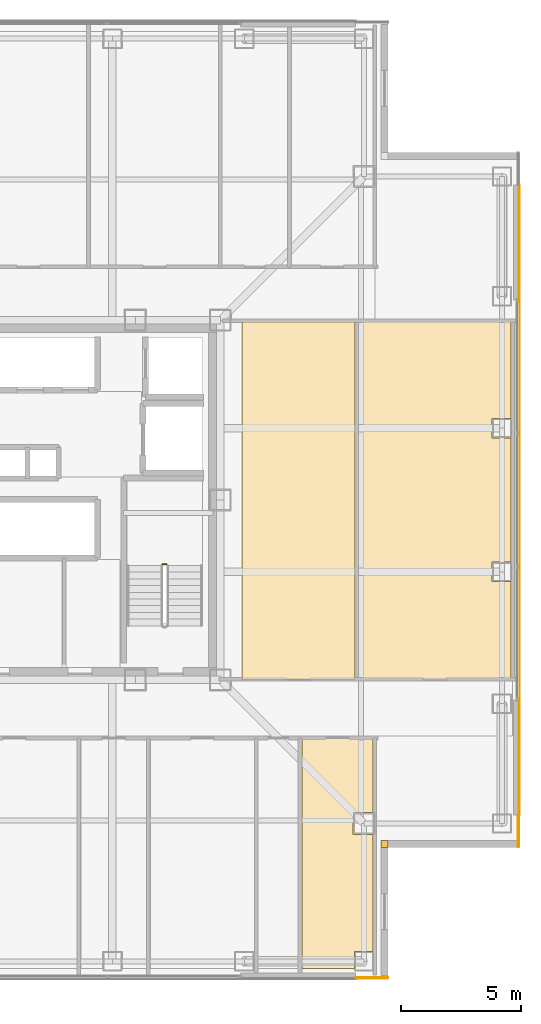
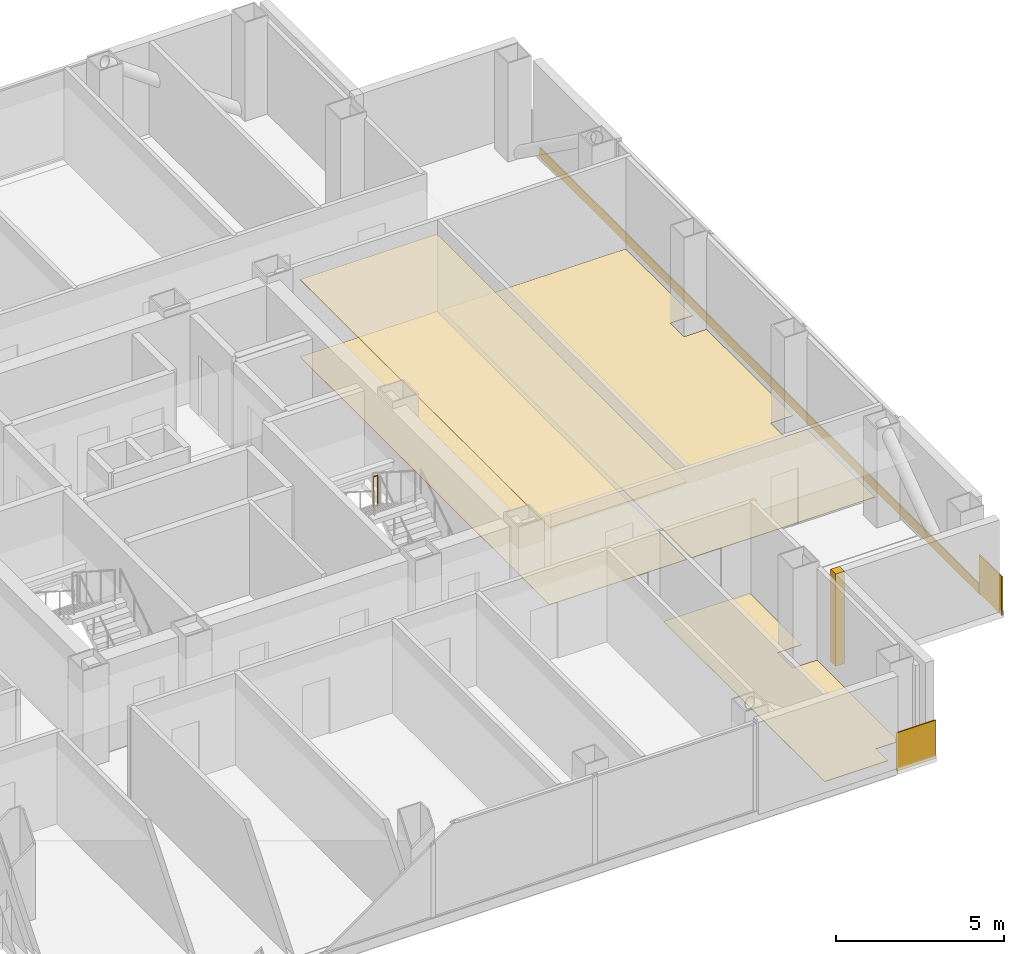
# One storey, part 16 of 17: 8 coverings, 1 railing.
"""IFC4 building model written with IfcOpenShell, lengths in metres."""

import ifcopenshell
import ifcopenshell.guid

model = None  # the IFC model being written
_history = None  # IfcOwnerHistory: only IFC2X3 demands one
_inside = {}  # id of a spatial element -> (the spatial element, [elements in it])
_under = {}  # id of a project, library or spatial element -> (it, [spatial elements below it])
_declared = {}  # id of a project -> (the project, [libraries it declares])
_typed = {}  # id of a type object -> (the type object, [elements of that type])
_made_of = {}  # id of a material, layer set ... -> (it, [elements and type objects made of it])


def new_model(schema):
    """Start an empty IFC model of exactly this schema.

    Asked for "IFC4X3", IfcOpenShell would pick the latest addendum, in which some entities
    have other attributes; the version numbers below select the first issue.
    IFC2X3 requires an IfcOwnerHistory on every rooted entity: one is made here for all.
    """
    global model, _history
    if schema == "IFC4X3":
        model = ifcopenshell.file(schema_version=(4, 3, 0, 0))
    else:
        model = ifcopenshell.file(schema=schema)
    _inside.clear()
    _under.clear()
    _declared.clear()
    _typed.clear()
    _made_of.clear()
    _history = None
    if model.schema == "IFC2X3":
        org = make("IfcOrganization", Name="unknown")
        user = make(
            "IfcPersonAndOrganization",
            ThePerson=make("IfcPerson", FamilyName="unknown"),
            TheOrganization=org,
        )
        app = make(
            "IfcApplication",
            ApplicationDeveloper=org,
            Version="unknown",
            ApplicationFullName="unknown",
            ApplicationIdentifier="unknown",
        )
        _history = make(
            "IfcOwnerHistory",
            OwningUser=user,
            OwningApplication=app,
            ChangeAction="ADDED",
            CreationDate=0,
        )
    return model


def make(cls, **values):
    """One entity of the class cls with the attributes given. An attribute that is None is left unset."""
    return model.create_entity(
        cls, **{name: value for name, value in values.items() if value is not None}
    )


def rooted(cls, **values):
    """An entity with a GlobalId (a new one), such as an element, a storey or a relation."""
    return make(cls, GlobalId=ifcopenshell.guid.new(), OwnerHistory=_history, **values)


def si_unit(unit_type, name, prefix=None):
    """IfcSIUnit, for example si_unit("LENGTHUNIT", "METRE", prefix="MILLI")."""
    return make("IfcSIUnit", UnitType=unit_type, Prefix=prefix, Name=name)


def assignment(units):
    """IfcUnitAssignment: the units of a project."""
    return None if units is None else make("IfcUnitAssignment", Units=units)


def point(xyz):
    """IfcCartesianPoint."""
    return None if xyz is None else make("IfcCartesianPoint", Coordinates=xyz)


def direction(xyz):
    """IfcDirection."""
    return None if xyz is None else make("IfcDirection", DirectionRatios=xyz)


def frame(location, z_axis=None, x_axis=None):
    """IfcAxis2Placement3D, a coordinate frame: its origin and axes. An axis left out is left unset."""
    return make(
        "IfcAxis2Placement3D",
        Location=point(location),
        Axis=direction(z_axis),
        RefDirection=direction(x_axis),
    )


def frame_2d(location, x_axis=None):
    """IfcAxis2Placement2D, a coordinate frame in the plane: its origin and x axis."""
    return make(
        "IfcAxis2Placement2D", Location=point(location), RefDirection=direction(x_axis)
    )


def origin():
    """The frame at (0, 0, 0) with its axes left unset."""
    return frame((0.0, 0.0, 0.0))


def origin_2d():
    """The frame at (0, 0) in the plane with its x axis left unset."""
    return frame_2d((0.0, 0.0))


def place(relative_to, where):
    """IfcLocalPlacement: puts the frame where relative to a parent placement (None: the world)."""
    return make(
        "IfcLocalPlacement", PlacementRelTo=relative_to, RelativePlacement=where
    )


def context(
    kind, dimensions, precision=None, world=None, true_north=None, identifier=None
):
    """IfcGeometricRepresentationContext, for example the 3D "Model" context."""
    return make(
        "IfcGeometricRepresentationContext",
        ContextIdentifier=identifier,
        ContextType=kind,
        CoordinateSpaceDimension=dimensions,
        Precision=precision,
        WorldCoordinateSystem=world,
        TrueNorth=true_north,
    )


def subcontext(parent, identifier, kind, view, scale=None):
    """IfcGeometricRepresentationSubContext, for example "Body" below "Model"."""
    return make(
        "IfcGeometricRepresentationSubContext",
        ContextIdentifier=identifier,
        ContextType=kind,
        ParentContext=parent,
        TargetScale=scale,
        TargetView=view,
    )


def project(units=None, contexts=None):
    """IfcProject with its units and contexts."""
    return rooted(
        "IfcProject",
        Name="project",
        RepresentationContexts=contexts,
        UnitsInContext=assignment(units),
    )


def spatial(cls, under=None, at=None, **own):
    """A site, building, storey or space (cls), placed at a placement, below another one or the project."""
    s = rooted(cls, ObjectPlacement=at, **own)
    if under is not None:
        _under.setdefault(under.id(), (under, []))[1].append(s)
    return s


def polyline(points):
    """IfcPolyline through the points."""
    return make("IfcPolyline", Points=[point(p) for p in points])


def profile(cls, at=None, kind="AREA", **sizes):
    """A parametric profile (cls). Its sizes go by their IFC names, for example OverallWidth=200.0."""
    return make(cls, ProfileType=kind, Position=at, **sizes)


def rectangle(**sizes):
    """IfcRectangleProfileDef."""
    return profile("IfcRectangleProfileDef", **sizes)


def circle(**sizes):
    """IfcCircleProfileDef."""
    return profile("IfcCircleProfileDef", **sizes)


def outline(outer, holes=None, kind="AREA"):
    """IfcArbitraryClosedProfileDef: a profile drawn as a closed curve; with holes, ...WithVoids."""
    if holes is None:
        return make("IfcArbitraryClosedProfileDef", ProfileType=kind, OuterCurve=outer)
    return make(
        "IfcArbitraryProfileDefWithVoids",
        ProfileType=kind,
        OuterCurve=outer,
        InnerCurves=holes,
    )


def extrude(swept, where, along, depth):
    """IfcExtrudedAreaSolid: the profile swept, set in the frame where, extruded along a direction by depth."""
    return make(
        "IfcExtrudedAreaSolid",
        SweptArea=swept,
        Position=where,
        ExtrudedDirection=direction(along),
        Depth=depth,
    )


def shape(context_of_items, identifier, shape_type, items):
    """IfcShapeRepresentation: the items that make up one representation, for example the "Body"."""
    return make(
        "IfcShapeRepresentation",
        ContextOfItems=context_of_items,
        RepresentationIdentifier=identifier,
        RepresentationType=shape_type,
        Items=items,
    )


def material(Name=None, Category=None):
    """IfcMaterial."""
    return make("IfcMaterial", Name=Name, Category=Category)


def layer(
    of_material, thickness, ventilated=None, Name=None, Category=None, Priority=None
):
    """IfcMaterialLayer: one layer of a wall or slab, of a material (None: an air gap)."""
    return make(
        "IfcMaterialLayer",
        Material=of_material,
        LayerThickness=thickness,
        IsVentilated=ventilated,
        Name=Name,
        Category=Category,
        Priority=Priority,
    )


def layer_set(layers, Name=None):
    """IfcMaterialLayerSet."""
    return make("IfcMaterialLayerSet", MaterialLayers=layers, LayerSetName=Name)


def made_of(thing, what):
    """Note that an element or type object is made of a material, layer set ...; save() writes the relation."""
    if what is not None:
        _made_of.setdefault(what.id(), (what, []))[1].append(thing)
    return thing


def type_object(cls, material=None, **own):
    """A type object (cls), such as IfcWallType, which elements share."""
    return made_of(rooted(cls, **own), material)


def element(
    cls,
    number,
    at=None,
    inside=None,
    cuts=None,
    type_object=None,
    material=None,
    context=None,
    identifier="Body",
    shape_type=None,
    held_by="IfcProductDefinitionShape",
    body=None,
    shapes=None,
    **own,
):
    """One element of the class cls, such as IfcWall. Its Tag is "e" and its number.

    at: its placement. inside: the storey or other place that contains it. cuts: it is an
    opening in that element (IfcRelVoidsElement). A single representation is given by context,
    identifier, shape_type and body (its items); several are given by shapes. held_by: the class
    of the entity that holds the representations. save() writes the other relations.
    """
    e = rooted(cls, Tag="e%d" % number, ObjectPlacement=at, **own)
    if body is not None:
        shapes = [shape(context, identifier, shape_type, body)]
    if shapes is not None:
        e.Representation = make(held_by, Representations=shapes)
    if inside is not None:
        _inside.setdefault(inside.id(), (inside, []))[1].append(e)
    if cuts is not None:
        rooted(
            "IfcRelVoidsElement", RelatingBuildingElement=cuts, RelatedOpeningElement=e
        )
    if type_object is not None:
        _typed.setdefault(type_object.id(), (type_object, []))[1].append(e)
    return made_of(e, material)


def aggregate(whole, parts):
    """IfcRelAggregates: a whole, such as a stair, and the parts it consists of."""
    return rooted("IfcRelAggregates", RelatingObject=whole, RelatedObjects=parts)


def save(model, path):
    """Write the relations noted so far, then the file.

    IfcRelAggregates (storeys below a building ...), IfcRelContainedInSpatialStructure (elements
    in a storey), IfcRelDefinesByType, IfcRelAssociatesMaterial and IfcRelDeclares: one each for
    every whole, place, type object, material and project.
    """
    for whole, parts in _under.values():
        aggregate(whole, parts)
    for where, things in _inside.values():
        rooted(
            "IfcRelContainedInSpatialStructure",
            RelatedElements=things,
            RelatingStructure=where,
        )
    for kind, things in _typed.values():
        rooted("IfcRelDefinesByType", RelatedObjects=things, RelatingType=kind)
    for what, things in _made_of.values():
        rooted("IfcRelAssociatesMaterial", RelatedObjects=things, RelatingMaterial=what)
    for by, libraries in _declared.values():
        rooted("IfcRelDeclares", RelatingContext=by, RelatedDefinitions=libraries)
    model.write(path)


model = new_model("IFC4")

# Units and contexts
model_context = context("Model", 3, precision=1e-05, world=origin(), true_north=direction((0.0, 1.0)))
body_context = subcontext(model_context, "Body", "Model", "MODEL_VIEW")
ifc_project = project(units=[si_unit("LENGTHUNIT", "METRE"), si_unit("AREAUNIT", "SQUARE_METRE"), si_unit("VOLUMEUNIT", "CUBIC_METRE"), si_unit("PLANEANGLEUNIT", "RADIAN"), si_unit("MASSUNIT", "GRAM", prefix="KILO")], contexts=[model_context])

# Site, building, storey
site_placement = place(None, origin())
site = spatial("IfcSite", under=ifc_project, at=site_placement, CompositionType="ELEMENT")
building_placement = place(site_placement, origin())
building = spatial("IfcBuilding", under=site, at=building_placement, Name="Trevonay Congress Spire", CompositionType="ELEMENT")
storey_placement = place(building_placement, frame((0.0, 0.0, 169.800048828125)))
storey = spatial("IfcBuildingStorey", under=building, at=storey_placement, Name="L43", CompositionType="ELEMENT", Elevation=169.800048828125)

# Coverings
ifc_material_1 = material(Name="Acoustic Mineral Fibre Board", Category="gypsum")
ifc_layer_1 = layer(ifc_material_1, 0.02490234375, Name="Acoustic Mineral Fibre Board")
ifc_layer_set_1 = layer_set([ifc_layer_1], Name="Acoustic Mineral Fibre Board")
covering_type_1 = type_object("IfcCoveringType", Name="COV-CEIL-ACOUSTIC", PredefinedType="CEILING", material=ifc_layer_set_1)
covering_1_placement = place(storey_placement, frame((0.0, 0.0, 2.81005859375)))
element("IfcCovering", 1, at=covering_1_placement, inside=storey, type_object=covering_type_1, Name="L43 Chambers Espresso Kitchen acoustic suspended ceiling", PredefinedType="CEILING", context=body_context, shape_type="SweptSolid", body=[
    extrude(outline(polyline([(8.39990234375, -7.47998046875), (13.1201171875, -7.47998046875), (13.1201171875, 7.419921875), (8.39990234375, 7.419921875), (8.39990234375, -7.47998046875)])), origin(), (0.0, 0.0, 1.0), 0.02490234375),
])
ifc_material_2 = material(Name="Polished Granite Floor Tile", Category="masonry")
ifc_layer_2 = layer(ifc_material_2, 0.02001953125, Name="Polished Granite Floor Tile")
ifc_layer_set_2 = layer_set([ifc_layer_2], Name="Polished Granite Floor Tile")
covering_type_2 = type_object("IfcCoveringType", Name="COV-FLOOR-STONE", PredefinedType="FLOORING", material=ifc_layer_set_2)
covering_2_placement = place(storey_placement, origin())
element("IfcCovering", 2, at=covering_2_placement, inside=storey, type_object=covering_type_2, Name="L43 Floor Supplies and Copy Room floor finish", PredefinedType="FLOORING", context=body_context, shape_type="SweptSolid", body=[
    extrude(outline(polyline([(10.909912109375, -19.550048828125), (10.909912109375, -9.929931640625), (13.8701171875, -9.929931640625), (13.8701171875, -13.0400390625), (13.0400390625, -13.0400390625), (13.0400390625, -13.9599609375), (13.8701171875, -13.9599609375), (13.8701171875, -18.840087890625), (13.090087890625, -18.840087890625), (13.090087890625, -19.550048828125), (10.909912109375, -19.550048828125)])), origin(), (0.0, 0.0, 1.0), 0.02001953125),
])
covering_3_placement = place(storey_placement, origin())
element("IfcCovering", 3, at=covering_3_placement, inside=storey, type_object=covering_type_2, Name="L43 Chambers Espresso Kitchen floor finish", PredefinedType="FLOORING", context=body_context, shape_type="SweptSolid", body=[
    extrude(outline(polyline([(8.39990234375, -7.47998046875), (13.1201171875, -7.47998046875), (13.1201171875, 7.419921875), (8.39990234375, 7.419921875), (8.39990234375, -7.47998046875)])), origin(), (0.0, 0.0, 1.0), 0.02001953125),
])
covering_4_placement = place(storey_placement, origin())
element("IfcCovering", 4, at=covering_4_placement, inside=storey, type_object=covering_type_2, Name="L43 Law Copy Room floor finish", PredefinedType="FLOORING", context=body_context, shape_type="SweptSolid", body=[
    extrude(outline(polyline([(19.6201171875, -7.47998046875), (13.280029296875, -7.47998046875), (13.280029296875, 7.419921875), (19.6201171875, 7.419921875), (19.6201171875, 3.409912109375), (18.840087890625, 3.409912109375), (18.840087890625, 2.590087890625), (19.6201171875, 2.590087890625), (19.6201171875, -2.590087890625), (18.840087890625, -2.590087890625), (18.840087890625, -3.409912109375), (19.6201171875, -3.409912109375), (19.6201171875, -7.47998046875)])), origin(), (0.0, 0.0, 1.0), 0.02001953125),
])
ifc_material_3 = material(Name="Pale Anodised Aluminium EN AW-6063-T6", Category="aluminium")
ifc_layer_3 = layer(ifc_material_3, 0.0400390625, Name="Pale Anodised Aluminium EN AW-6063-T6")
ifc_layer_set_3 = layer_set([ifc_layer_3], Name="Pale Anodised Aluminium EN AW-6063-T6")
covering_type_3 = type_object("IfcCoveringType", Name="COV-SPANDREL-PALE-METAL", PredefinedType="CLADDING", material=ifc_layer_set_3)
covering_5_placement = place(storey_placement, frame((19.97998046875, -13.14990234375, -0.239990234375), z_axis=(0.0, 0.0, 1.0), x_axis=(0.0, 1.0, 0.0)))
element("IfcCovering", 5, at=covering_5_placement, inside=storey, type_object=covering_type_3, Name="L43 E pale-metal slab-edge spandrel cladding", PredefinedType="CLADDING", context=body_context, shape_type="SweptSolid", body=[
    extrude(rectangle(XDim=26.2998046875, YDim=0.0400390625, at=frame_2d((13.14990234375, 0.0))), origin(), (0.0, 0.0, 1.0), 0.35986328125),
])
covering_6_placement = place(storey_placement, origin())
element("IfcCovering", 6, at=covering_6_placement, inside=storey, type_object=covering_type_3, Name="L43 SE re-entrant notch corner closure trim", PredefinedType="CLADDING", context=body_context, shape_type="SweptSolid", body=[
    extrude(outline(polyline([(14.199951171875, -14.5), (14.5, -14.5), (14.5, -14.199951171875), (14.199951171875, -14.199951171875), (14.199951171875, -14.5)])), origin(), (0.0, 0.0, 1.0), 3.35986328125),
])
for number, where, z_axis, x_axis, name in (
    (7, (19.93994140625, -13.14990234375, -0.150146484375), (0.0, 0.0, 1.0), (0.0, -1.0, 0.0), "L43 SE corner pier spandrel cladding 1"),
    (8, (13.14990234375, -19.93994140625, -0.150146484375), (0.0, 0.0, 1.0), (1.0, 0.0, 0.0), "L43 SE corner pier spandrel cladding 2"),
):
    element("IfcCovering", number, at=place(storey_placement, frame(where, z_axis=z_axis, x_axis=x_axis)), inside=storey, type_object=covering_type_3, Name=name, PredefinedType="CLADDING", context=body_context, shape_type="SweptSolid", body=[
        extrude(rectangle(XDim=1.35009765625, YDim=0.0400390625, at=frame_2d((0.675048828125, 0.0))), origin(), (0.0, 0.0, 1.0), 1.400146484375),
    ])

# Railing
railing_type = type_object("IfcRailingType", Name="RAL-STAIR-GUARD-110", PredefinedType="GUARDRAIL", material=ifc_material_3)
railing_placement = place(storey_placement, frame((5.25, -2.679931640625, 1.800048828125)))
element("IfcRailing", 9, at=railing_placement, inside=storey, type_object=railing_type, Name="L43 ST-2 stair guard 2", PredefinedType="GUARDRAIL", context=body_context, shape_type="SweptSolid", body=[
    extrude(circle(Radius=0.02392578125, at=origin_2d()), frame((0.0, 0.0, 1.1259765625), z_axis=(-1.0, 0.0, 0.0), x_axis=(0.0, -1.0, 0.0)), (0.0, 0.0, 1.0), 0.14990234375),
    extrude(circle(Radius=0.02099609375, at=origin_2d()), origin(), (0.0, 0.0, 1.0), 1.101806640625),
    extrude(circle(Radius=0.02099609375, at=origin_2d()), frame((-0.14990234375, 0.0, 0.0)), (0.0, 0.0, 1.0), 1.101806640625),
])

save(model, "model.ifc")
